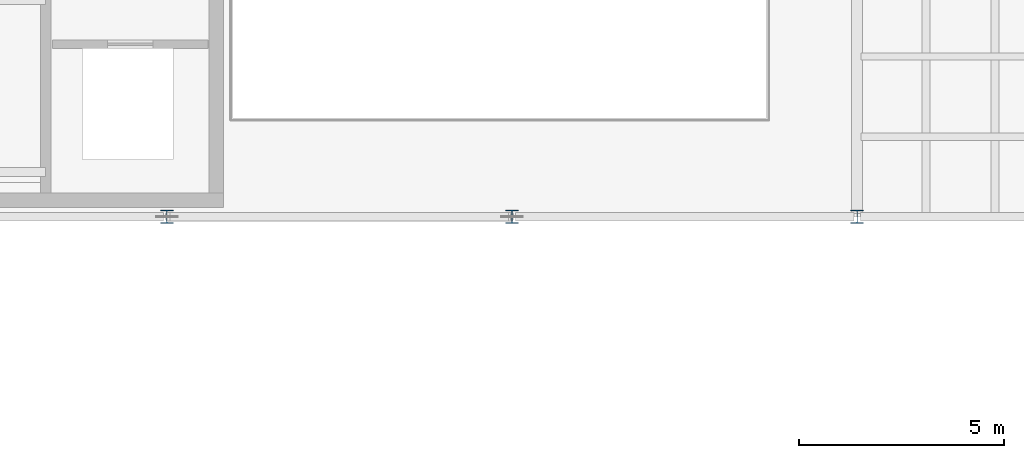
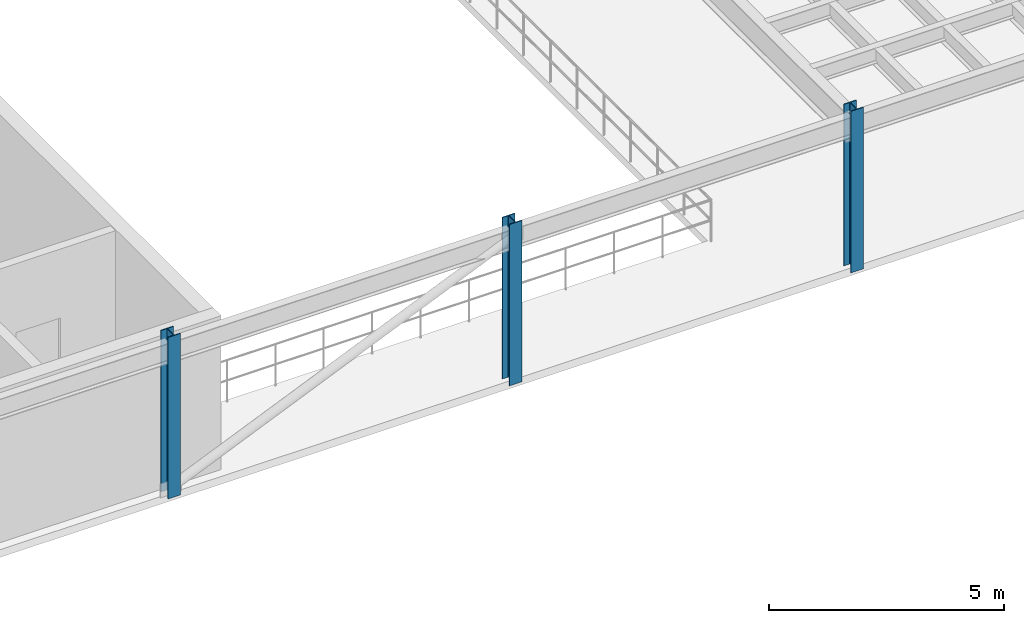
# One storey, part 2 of 32: 3 columns.
"""IFC4 building model written with IfcOpenShell, lengths in metres."""

from ifc_helpers import new_model, si_unit, direction, frame, origin, origin_2d, place, context, subcontext, project, spatial, i_section, extrude, material, material_profile, profile_set, type_object, element, save


model = new_model("IFC4")

# Units and contexts
model_context = context("Model", 3, precision=1e-05, world=origin(), true_north=direction((0.0, 1.0)))
body_context = subcontext(model_context, "Body", "Model", "MODEL_VIEW")
ifc_project = project(units=[si_unit("LENGTHUNIT", "METRE"), si_unit("AREAUNIT", "SQUARE_METRE"), si_unit("VOLUMEUNIT", "CUBIC_METRE"), si_unit("PLANEANGLEUNIT", "RADIAN"), si_unit("MASSUNIT", "GRAM", prefix="KILO")], contexts=[model_context])

# Site, building, storey
site_placement = place(None, origin())
site = spatial("IfcSite", under=ifc_project, at=site_placement, CompositionType="ELEMENT")
building_placement = place(site_placement, origin())
building = spatial("IfcBuilding", under=site, at=building_placement, Name="Selat Folded Stagehouse", CompositionType="ELEMENT")
storey_placement = place(building_placement, frame((0.0, 0.0, 19.199951171875)))
storey = spatial("IfcBuildingStorey", under=building, at=storey_placement, Name="L04", CompositionType="ELEMENT", Elevation=19.199951171875)

# Columns
ifc_material = material(Name="Steel S355", Category="steel")
ifc_material_profile = material_profile(ifc_material, i_section(OverallWidth=0.30908203125, OverallDepth=0.320556640625, WebThickness=0.013916015625, FlangeThickness=0.021728515625, FilletRadius=0.01513671875, at=origin_2d()), Name="UKC 305x305x137")
ifc_profile_set = profile_set([ifc_material_profile], Name="Steel S355")
column_type = type_object("IfcColumnType", Name="COL-UKC-305x305x137", PredefinedType="COLUMN", material=ifc_profile_set)
for number, where, z_axis, x_axis, name in (
    (1, (42.0, 23.39990234375, 0.0), (0.0, 0.0, 1.0), (1.0, 0.0, 0.0), "L04 column STK-V2-11"),
    (2, (50.39990234375, 23.39990234375, 0.0), (0.0, 0.0, 1.0), (1.0, 0.0, 0.0), "L04 column STK-V2-15"),
    (3, (58.800048828125, 23.39990234375, 0.0), (0.0, 0.0, 1.0), (1.0, 0.0, 0.0), "L04 column STK-V2-18"),
):
    element("IfcColumn", number, at=place(storey_placement, frame(where, z_axis=z_axis, x_axis=x_axis)), inside=storey, type_object=column_type, Name=name, PredefinedType="COLUMN", context=body_context, shape_type="SweptSolid", body=[
        extrude(i_section(OverallWidth=0.30908203125, OverallDepth=0.320556640625, WebThickness=0.013916015625, FlangeThickness=0.021728515625, FilletRadius=0.01513671875, at=origin_2d()), origin(), (0.0, 0.0, 1.0), 4.199951171875),
    ])

save(model, "model.ifc")
